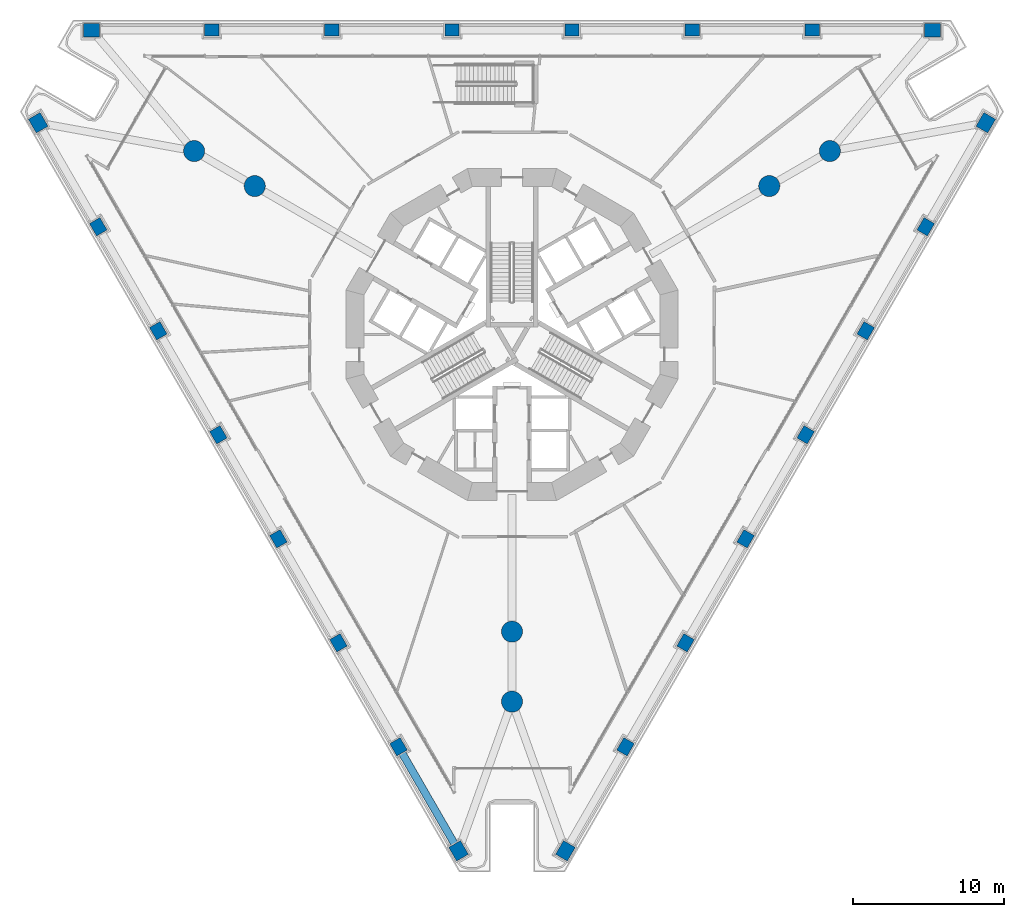
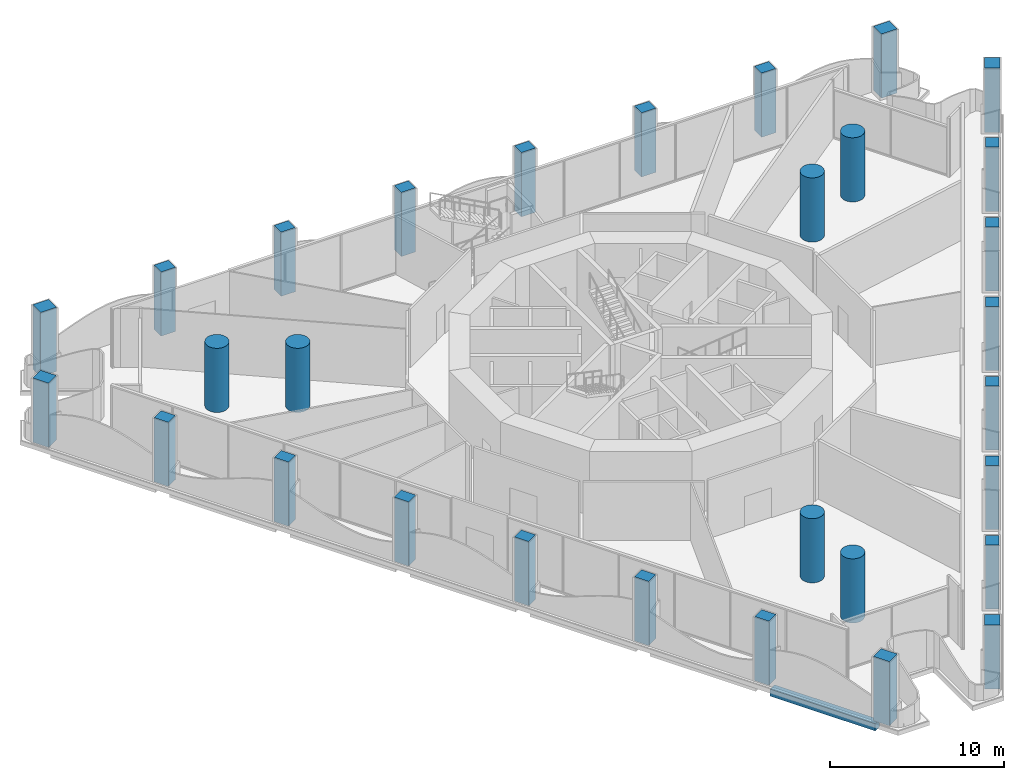
# One storey, part 1 of 23: 30 columns, 1 beam.
"""IFC4 building model written with IfcOpenShell, lengths in metres."""

from ifc_helpers import new_model, si_unit, direction, frame, origin, origin_2d, place, context, subcontext, project, spatial, rectangle, circle, extrude, material, material_profile, profile_set, type_object, element, save


model = new_model("IFC4")

# Units and contexts
model_context = context("Model", 3, precision=1e-05, world=origin(), true_north=direction((0.0, 1.0)))
body_context = subcontext(model_context, "Body", "Model", "MODEL_VIEW")
ifc_project = project(units=[si_unit("LENGTHUNIT", "METRE"), si_unit("AREAUNIT", "SQUARE_METRE"), si_unit("VOLUMEUNIT", "CUBIC_METRE"), si_unit("PLANEANGLEUNIT", "RADIAN"), si_unit("MASSUNIT", "GRAM", prefix="KILO")], contexts=[model_context])

# Site, building, storey
site_placement = place(None, origin())
site = spatial("IfcSite", under=ifc_project, at=site_placement, CompositionType="ELEMENT")
building_placement = place(site_placement, origin())
building = spatial("IfcBuilding", under=site, at=building_placement, Name="Trine Commons Tower", CompositionType="ELEMENT")
storey_placement = place(building_placement, frame((0.0, 0.0, 18.0)))
storey = spatial("IfcBuildingStorey", under=building, at=storey_placement, Name="L03", CompositionType="ELEMENT", Elevation=18.0)

# Columns
ifc_material_1 = material(Name="Concrete C80/95", Category="concrete")
ifc_material_profile_1 = material_profile(ifc_material_1, rectangle(XDim=1.050048828125, YDim=0.89990234375, at=origin_2d()), Name="RC 1050x900")
ifc_profile_set_1 = profile_set([ifc_material_profile_1], Name="Concrete C80/95")
column_type_1 = type_object("IfcColumnType", Name="RC column 1050x900, C80/95", PredefinedType="COLUMN", material=ifc_profile_set_1)
for number, where, z_axis, x_axis, name in (
    (1, (76.45556640625, 28.27001953125, 0.0), (0.0, 0.0, 1.0), (-0.5, 0.866025403784, 0.0), "Column PC1-01 L03"),
    (2, (48.583740234375, 76.54541015625, 0.0), (0.0, 0.0, 1.0), (-0.5, 0.866025403784, 0.0), "Column PC1-08 L03"),
    (3, (52.128173828125, 82.6845703125, 0.0), (0.0, 0.0, 1.0), (1.0, 0.0, 0.0), "Column PC1-09 L03"),
    (4, (107.871826171875, 82.6845703125, 0.0), (0.0, 0.0, 1.0), (1.0, 0.0, 0.0), "Column PC1-16 L03"),
    (5, (111.416259765625, 76.54541015625, 0.0), (0.0, 0.0, 1.0), (0.5, 0.866025403784, 0.0), "Column PC1-17 L03"),
    (6, (83.54443359375, 28.27001953125, 0.0), (0.0, 0.0, 1.0), (0.5, 0.866025403784, 0.0), "Column PC1-24 L03"),
):
    element("IfcColumn", number, at=place(storey_placement, frame(where, z_axis=z_axis, x_axis=x_axis)), inside=storey, type_object=column_type_1, Name=name, PredefinedType="COLUMN", context=body_context, shape_type="SweptSolid", body=[
        extrude(rectangle(XDim=1.050048828125, YDim=0.89990234375, at=origin_2d()), origin(), (0.0, 0.0, 1.0), 4.5),
    ])
ifc_material_profile_2 = material_profile(ifc_material_1, rectangle(XDim=0.949951171875, YDim=0.800048828125, at=origin_2d()), Name="RC 950x800")
ifc_profile_set_2 = profile_set([ifc_material_profile_2], Name="Concrete C80/95")
column_type_2 = type_object("IfcColumnType", Name="RC column 950x800, C80/95", PredefinedType="COLUMN", material=ifc_profile_set_2)
for number, where, z_axis, x_axis, name in (
    (7, (72.473876953125, 35.16650390625, 0.0), (0.0, 0.0, 1.0), (-0.5, 0.866025403784, 0.0), "Column PC1-02 L03"),
    (8, (68.4921875, 42.06298828125, 0.0), (0.0, 0.0, 1.0), (-0.5, 0.866025403784, 0.0), "Column PC1-03 L03"),
    (9, (64.510498046875, 48.95947265625, 0.0), (0.0, 0.0, 1.0), (-0.5, 0.866025403784, 0.0), "Column PC1-04 L03"),
    (10, (60.52880859375, 55.85595703125, 0.0), (0.0, 0.0, 1.0), (-0.5, 0.866025403784, 0.0), "Column PC1-05 L03"),
    (11, (56.547119140625, 62.75244140625, 0.0), (0.0, 0.0, 1.0), (-0.5, 0.866025403784, 0.0), "Column PC1-06 L03"),
    (12, (52.5654296875, 69.64892578125, 0.0), (0.0, 0.0, 1.0), (-0.5, 0.866025403784, 0.0), "Column PC1-07 L03"),
    (13, (60.091552734375, 82.6845703125, 0.0), (0.0, 0.0, 1.0), (1.0, 0.0, 0.0), "Column PC1-10 L03"),
    (14, (68.054931640625, 82.6845703125, 0.0), (0.0, 0.0, 1.0), (1.0, 0.0, 0.0), "Column PC1-11 L03"),
    (15, (76.018310546875, 82.6845703125, 0.0), (0.0, 0.0, 1.0), (1.0, 0.0, 0.0), "Column PC1-12 L03"),
    (16, (83.981689453125, 82.6845703125, 0.0), (0.0, 0.0, 1.0), (1.0, 0.0, 0.0), "Column PC1-13 L03"),
    (17, (91.945068359375, 82.6845703125, 0.0), (0.0, 0.0, 1.0), (1.0, 0.0, 0.0), "Column PC1-14 L03"),
    (18, (99.908447265625, 82.6845703125, 0.0), (0.0, 0.0, 1.0), (1.0, 0.0, 0.0), "Column PC1-15 L03"),
    (19, (107.4345703125, 69.64892578125, 0.0), (0.0, 0.0, 1.0), (0.5, 0.866025403784, 0.0), "Column PC1-18 L03"),
    (20, (103.452880859375, 62.75244140625, 0.0), (0.0, 0.0, 1.0), (0.5, 0.866025403784, 0.0), "Column PC1-19 L03"),
    (21, (99.47119140625, 55.85595703125, 0.0), (0.0, 0.0, 1.0), (0.5, 0.866025403784, 0.0), "Column PC1-20 L03"),
    (22, (95.489501953125, 48.95947265625, 0.0), (0.0, 0.0, 1.0), (0.5, 0.866025403784, 0.0), "Column PC1-21 L03"),
    (23, (91.5078125, 42.06298828125, 0.0), (0.0, 0.0, 1.0), (0.5, 0.866025403784, 0.0), "Column PC1-22 L03"),
    (24, (87.526123046875, 35.16650390625, 0.0), (0.0, 0.0, 1.0), (0.5, 0.866025403784, 0.0), "Column PC1-23 L03"),
):
    element("IfcColumn", number, at=place(storey_placement, frame(where, z_axis=z_axis, x_axis=x_axis)), inside=storey, type_object=column_type_2, Name=name, PredefinedType="COLUMN", context=body_context, shape_type="SweptSolid", body=[
        extrude(rectangle(XDim=0.949951171875, YDim=0.800048828125, at=origin_2d()), origin(), (0.0, 0.0, 1.0), 4.5),
    ])
ifc_material_profile_3 = material_profile(ifc_material_1, circle(Radius=0.699951171875, at=origin_2d()), Name="RC round 1400")
ifc_profile_set_3 = profile_set([ifc_material_profile_3], Name="Concrete C80/95")
column_type_3 = type_object("IfcColumnType", Name="RC round column 1400 mm, C80/95", PredefinedType="COLUMN", material=ifc_profile_set_3)
for number, where, z_axis, x_axis, name in (
    (25, (80.0, 42.802978515625, 0.0), (0.0, 0.0, 1.0), (1.0, 0.0, 0.0), "Column WC1-1 L03"),
    (26, (80.0, 38.162109375, 0.0), (0.0, 0.0, 1.0), (1.0, 0.0, 0.0), "Column WC1-2 L03"),
    (27, (97.05810546875, 72.348388671875, 0.0), (0.0, 0.0, 1.0), (1.0, 0.0, 0.0), "Column WC1-3 L03"),
    (28, (101.0771484375, 74.6689453125, 0.0), (0.0, 0.0, 1.0), (1.0, 0.0, 0.0), "Column WC1-4 L03"),
    (29, (62.94189453125, 72.348388671875, 0.0), (0.0, 0.0, 1.0), (1.0, 0.0, 0.0), "Column WC1-5 L03"),
    (30, (58.9228515625, 74.6689453125, 0.0), (0.0, 0.0, 1.0), (1.0, 0.0, 0.0), "Column WC1-6 L03"),
):
    element("IfcColumn", number, at=place(storey_placement, frame(where, z_axis=z_axis, x_axis=x_axis)), inside=storey, type_object=column_type_3, Name=name, PredefinedType="COLUMN", context=body_context, shape_type="SweptSolid", body=[
        extrude(circle(Radius=0.699951171875, at=origin_2d()), origin(), (0.0, 0.0, 1.0), 4.5),
    ])

# Beam
ifc_material_2 = material(Name="Concrete C50/60", Category="concrete")
ifc_material_profile_4 = material_profile(ifc_material_2, rectangle(XDim=0.5, YDim=0.5, at=origin_2d()), Name="RC 500x500")
ifc_profile_set_4 = profile_set([ifc_material_profile_4], Name="Concrete C50/60")
beam_type = type_object("IfcBeamType", Name="RC beam 500x500, C50/60", PredefinedType="BEAM", material=ifc_profile_set_4)
beam_placement = place(storey_placement, frame((76.193115234375, 28.724609375, -0.60009765625), z_axis=(-0.500022902661, 0.866012180523, 0.0), x_axis=(-0.866012180523, -0.500022902661, 0.0)))
element("IfcBeam", 31, at=beam_placement, inside=storey, type_object=beam_type, Name="Beam EB1-01 L03", PredefinedType="BEAM", context=body_context, shape_type="SweptSolid", body=[
    extrude(rectangle(XDim=0.5, YDim=0.5, at=origin_2d()), origin(), (0.0, 0.0, 1.0), 6.963623046875),
])

save(model, "model.ifc")
